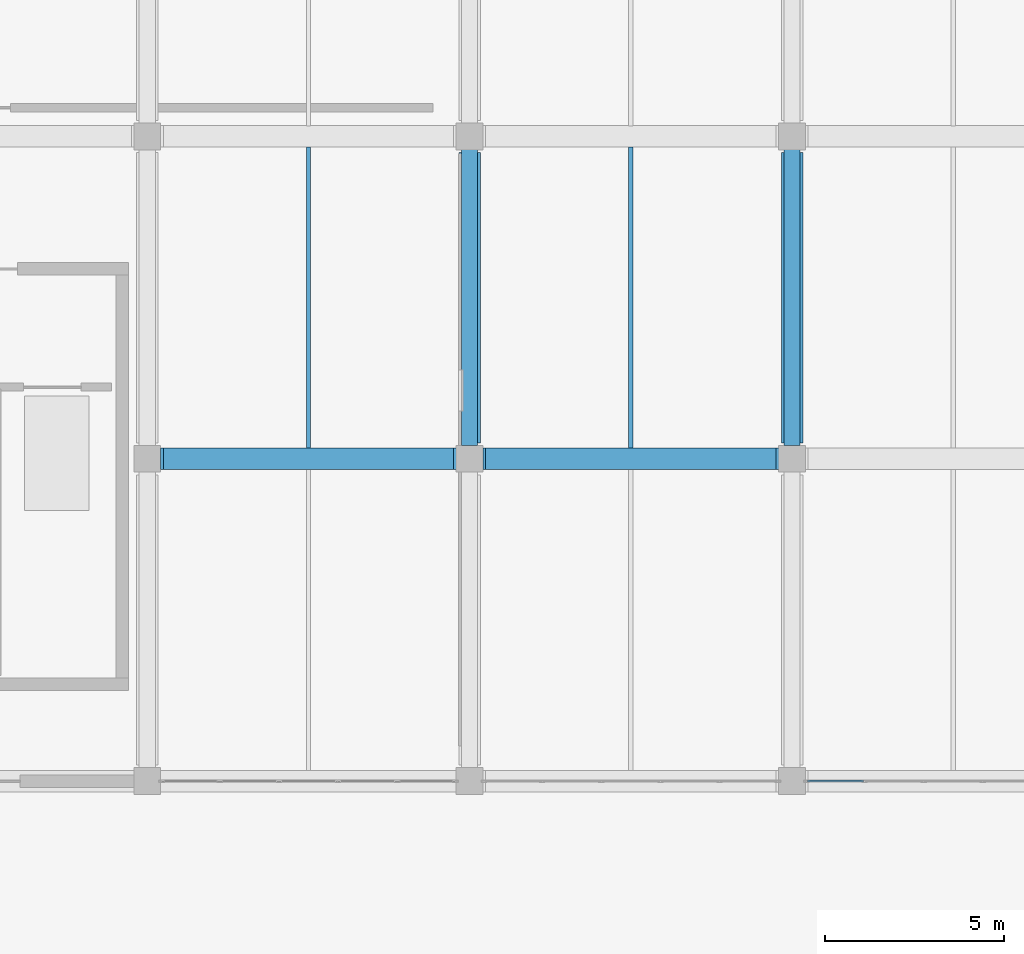
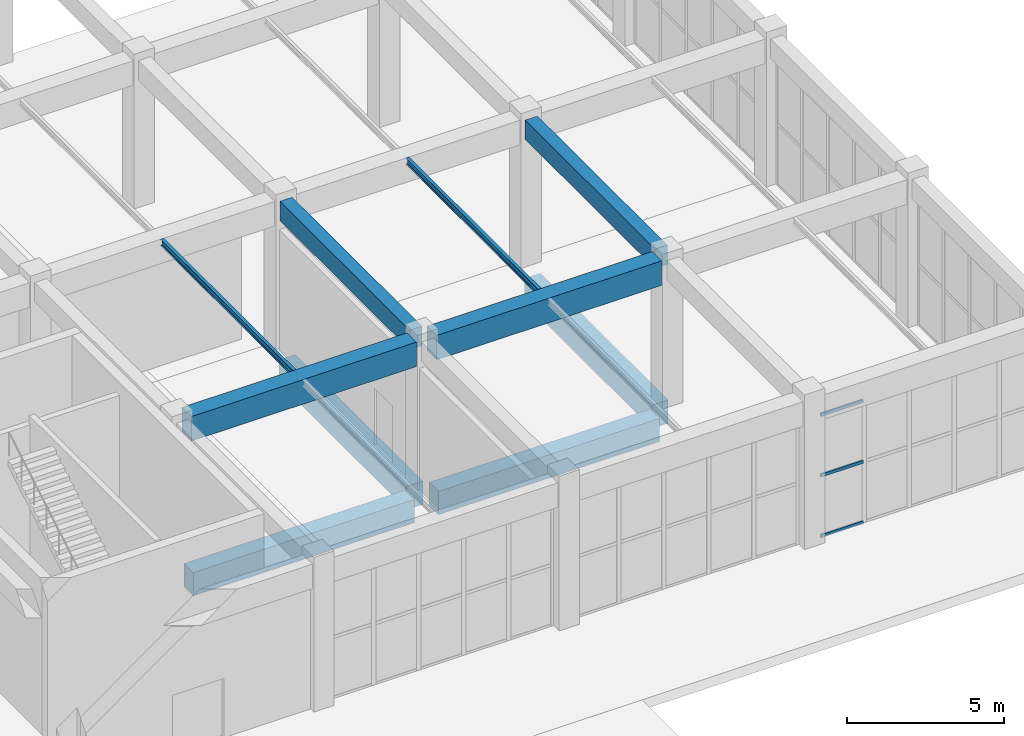
# One storey, part 37 of 91: 10 beams, 3 members, 1 element without a shape of its own.
"""IFC4 building model written with IfcOpenShell, lengths in metres."""

from ifc_helpers import new_model, si_unit, direction, frame, origin, origin_2d, place, context, subcontext, project, spatial, rectangle, hollow_rectangle, i_section, extrude, material, layer, layer_set, material_profile, profile_set, type_object, element, aggregate, save


model = new_model("IFC4")

# Units and contexts
model_context = context("Model", 3, precision=1e-05, world=origin(), true_north=direction((0.0, 1.0)))
body_context = subcontext(model_context, "Body", "Model", "MODEL_VIEW")
ifc_project = project(units=[si_unit("LENGTHUNIT", "METRE"), si_unit("AREAUNIT", "SQUARE_METRE"), si_unit("VOLUMEUNIT", "CUBIC_METRE"), si_unit("PLANEANGLEUNIT", "RADIAN"), si_unit("MASSUNIT", "GRAM", prefix="KILO")], contexts=[model_context])

# Site, building, storey
site_placement = place(None, origin())
site = spatial("IfcSite", under=ifc_project, at=site_placement, CompositionType="ELEMENT")
building_placement = place(site_placement, origin())
building = spatial("IfcBuilding", under=site, at=building_placement, Name="Dornveld Trade and Exhibition Forum", CompositionType="ELEMENT")
storey_placement = place(building_placement, origin())
storey = spatial("IfcBuildingStorey", under=building, at=storey_placement, Name="L00", CompositionType="ELEMENT", Elevation=0.0)

# Beams
ifc_material_1 = material(Name="Concrete C40/50", Category="concrete")
ifc_material_profile_1 = material_profile(ifc_material_1, rectangle(XDim=0.60009765625, YDim=0.89990234375, at=origin_2d()), Name="RC-GB 600x900")
ifc_profile_set_1 = profile_set([ifc_material_profile_1], Name="Concrete C40/50")
beam_type_1 = type_object("IfcBeamType", Name="BM-GB-600x900", PredefinedType="BEAM", material=ifc_profile_set_1)
for number, where, z_axis, x_axis, name in (
    (1, (189.446044921875, 117.0, -0.830078125), (1.0, 0.0, 0.0), (0.0, 1.0, 0.0), "L00 X-girder 529"),
    (2, (198.446044921875, 117.0, -0.830078125), (1.0, 0.0, 0.0), (0.0, 1.0, 0.0), "L00 X-girder 530"),
    (3, (198.0, 117.446044921875, -0.830078125), (0.0, 1.0, 0.0), (-1.0, 0.0, 0.0), "L00 Y-girder 556"),
    (4, (207.0, 117.446044921875, -0.830078125), (0.0, 1.0, 0.0), (-1.0, 0.0, 0.0), "L00 Y-girder 560"),
):
    element("IfcBeam", number, at=place(storey_placement, frame(where, z_axis=z_axis, x_axis=x_axis)), inside=storey, type_object=beam_type_1, Name=name, PredefinedType="BEAM", context=body_context, shape_type="SweptSolid", body=[
        extrude(rectangle(XDim=0.60009765625, YDim=0.89990234375, at=origin_2d()), origin(), (0.0, 0.0, 1.0), 8.10791015625),
    ])
ifc_material_2 = material(Name="Steel S355J2", Category="steel")
ifc_material_profile_2 = material_profile(ifc_material_2, i_section(OverallWidth=0.1201171875, OverallDepth=0.239990234375, WebThickness=0.006103515625, FlangeThickness=0.009765625, FilletRadius=0.014892578125, at=origin_2d()), Name="IPE 240")
ifc_profile_set_2 = profile_set([ifc_material_profile_2], Name="Steel S355J2")
beam_type_2 = type_object("IfcBeamType", Name="BM-JOIST-240", PredefinedType="JOIST", material=ifc_profile_set_2)
for number, where, z_axis, x_axis, name in (
    (5, (193.5, 117.297119140625, 5.580078125), (0.0, 1.0, 0.0), (-1.0, 0.0, 0.0), "L00 secondary joist 1010"),
    (6, (202.5, 117.297119140625, 5.580078125), (0.0, 1.0, 0.0), (-1.0, 0.0, 0.0), "L00 secondary joist 1014"),
):
    element("IfcBeam", number, at=place(storey_placement, frame(where, z_axis=z_axis, x_axis=x_axis)), inside=storey, type_object=beam_type_2, Name=name, PredefinedType="JOIST", context=body_context, shape_type="SweptSolid", body=[
        extrude(i_section(OverallWidth=0.1201171875, OverallDepth=0.239990234375, WebThickness=0.006103515625, FlangeThickness=0.009765625, FilletRadius=0.014892578125, at=origin_2d()), origin(), (0.0, 0.0, 1.0), 8.40576171875),
    ])
ifc_material_3 = material(Name="Precast concrete C50/60", Category="concrete")
ifc_material_profile_3 = material_profile(ifc_material_3, rectangle(XDim=0.449951171875, YDim=0.75, at=origin_2d()), Name="PC-BM 450x750")
ifc_profile_set_3 = profile_set([ifc_material_profile_3], Name="Precast concrete C50/60")
beam_type_3 = type_object("IfcBeamType", Name="BM-PC-450x750", PredefinedType="BEAM", material=ifc_profile_set_3)
for number, where, z_axis, x_axis, name in (
    (7, (198.0, 117.37109375, 5.324951171875), (0.0, 1.0, 0.0), (-1.0, 0.0, 0.0), "L00 Y-girder 992"),
    (8, (207.0, 117.37109375, 5.324951171875), (0.0, 1.0, 0.0), (-1.0, 0.0, 0.0), "L00 Y-girder 996"),
):
    element("IfcBeam", number, at=place(storey_placement, frame(where, z_axis=z_axis, x_axis=x_axis)), inside=storey, type_object=beam_type_3, Name=name, PredefinedType="BEAM", context=body_context, shape_type="SweptSolid", body=[
        extrude(rectangle(XDim=0.449951171875, YDim=0.75, at=origin_2d()), origin(), (0.0, 0.0, 1.0), 8.2578125),
    ])
ifc_material_4 = material(Name="Precast concrete C50/60", Category="concrete")
ifc_material_profile_4 = material_profile(ifc_material_4, rectangle(XDim=0.60009765625, YDim=0.949951171875, at=origin_2d()), Name="PC-GIR 600x950")
ifc_profile_set_4 = profile_set([ifc_material_profile_4], Name="Precast concrete C50/60")
beam_type_4 = type_object("IfcBeamType", Name="BM-PC-600x950", PredefinedType="T_BEAM", material=ifc_profile_set_4)
for number, where, z_axis, x_axis, name in (
    (9, (189.37109375, 117.0, 5.22509765625), (1.0, 0.0, 0.0), (0.0, 1.0, 0.0), "L00 X-girder 961"),
    (10, (198.37109375, 117.0, 5.22509765625), (1.0, 0.0, 0.0), (0.0, 1.0, 0.0), "L00 X-girder 962"),
):
    element("IfcBeam", number, at=place(storey_placement, frame(where, z_axis=z_axis, x_axis=x_axis)), inside=storey, type_object=beam_type_4, Name=name, PredefinedType="T_BEAM", context=body_context, shape_type="SweptSolid", body=[
        extrude(rectangle(XDim=0.60009765625, YDim=0.949951171875, at=origin_2d()), origin(), (0.0, 0.0, 1.0), 8.2578125),
    ])

# Curtain wall, members
ifc_material_5 = material(Name="Dark-bronze anodised aluminium and low-E glass", Category="aluminium")
ifc_layer = layer(ifc_material_5, 0.1689453125)
ifc_layer_set = layer_set([ifc_layer], Name="Dark-bronze anodised aluminium and low-E glass")
curtain_wall_type = type_object("IfcCurtainWallType", Name="CW-SYS-09", PredefinedType="USERDEFINED", material=ifc_layer_set)
curtain_wall_placement = place(storey_placement, origin())
curtain_wall = element("IfcCurtainWall", 11, at=curtain_wall_placement, inside=storey, type_object=curtain_wall_type, Name="L00 unitised curtain wall 99", ObjectType="UNITISED_CURTAIN_WALL", PredefinedType="USERDEFINED")
ifc_material_6 = material(Name="Dark-bronze anodised aluminium", Category="aluminium")
ifc_material_profile_5 = material_profile(ifc_material_6, hollow_rectangle(XDim=0.06005859375, YDim=0.1201171875, WallThickness=0.00390625, at=origin_2d()), Name="RHS 120x60x4")
ifc_profile_set_5 = profile_set([ifc_material_profile_5], Name="Dark-bronze anodised aluminium")
member_type = type_object("IfcMemberType", Name="CW-TRN-120", PredefinedType="USERDEFINED", material=ifc_profile_set_5)
member_1_placement = place(storey_placement, frame((207.430908203125, 108.0, 0.02587890625), z_axis=(1.0, 0.0, 0.0), x_axis=(0.0, 1.0, 0.0)))
member_1 = element("IfcMember", 12, at=member_1_placement, type_object=member_type, Name="CW-09 transom 1.1", ObjectType="TRANSOM", PredefinedType="USERDEFINED", context=body_context, shape_type="SweptSolid", body=[
    extrude(hollow_rectangle(XDim=0.06005859375, YDim=0.1201171875, WallThickness=0.00390625, at=origin_2d()), origin(), (0.0, 0.0, 1.0), 1.561767578125),
])
member_2_placement = place(storey_placement, frame((207.430908203125, 108.0, 2.3779296875), z_axis=(1.0, 0.0, 0.0), x_axis=(0.0, 1.0, 0.0)))
member_2 = element("IfcMember", 13, at=member_2_placement, type_object=member_type, Name="CW-09 transom 1.2", ObjectType="TRANSOM", PredefinedType="USERDEFINED", context=body_context, shape_type="SweptSolid", body=[
    extrude(hollow_rectangle(XDim=0.06005859375, YDim=0.1201171875, WallThickness=0.00390625, at=origin_2d()), origin(), (0.0, 0.0, 1.0), 1.561767578125),
])
member_3_placement = place(storey_placement, frame((207.430908203125, 108.0, 4.72998046875), z_axis=(1.0, 0.0, 0.0), x_axis=(0.0, 1.0, 0.0)))
member_3 = element("IfcMember", 14, at=member_3_placement, type_object=member_type, Name="CW-09 transom 1.3", ObjectType="TRANSOM", PredefinedType="USERDEFINED", context=body_context, shape_type="SweptSolid", body=[
    extrude(hollow_rectangle(XDim=0.06005859375, YDim=0.1201171875, WallThickness=0.00390625, at=origin_2d()), origin(), (0.0, 0.0, 1.0), 1.561767578125),
])
aggregate(curtain_wall, [member_1, member_2, member_3])

save(model, "model.ifc")
